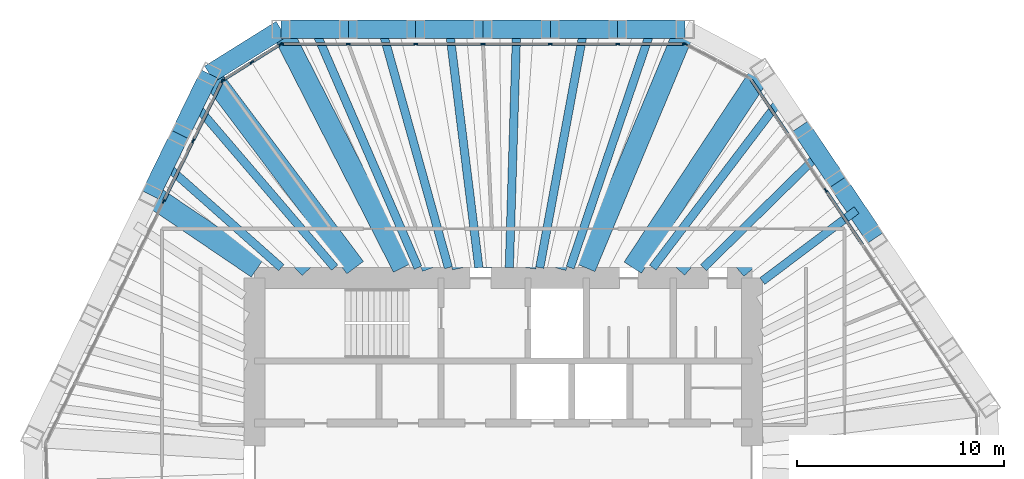
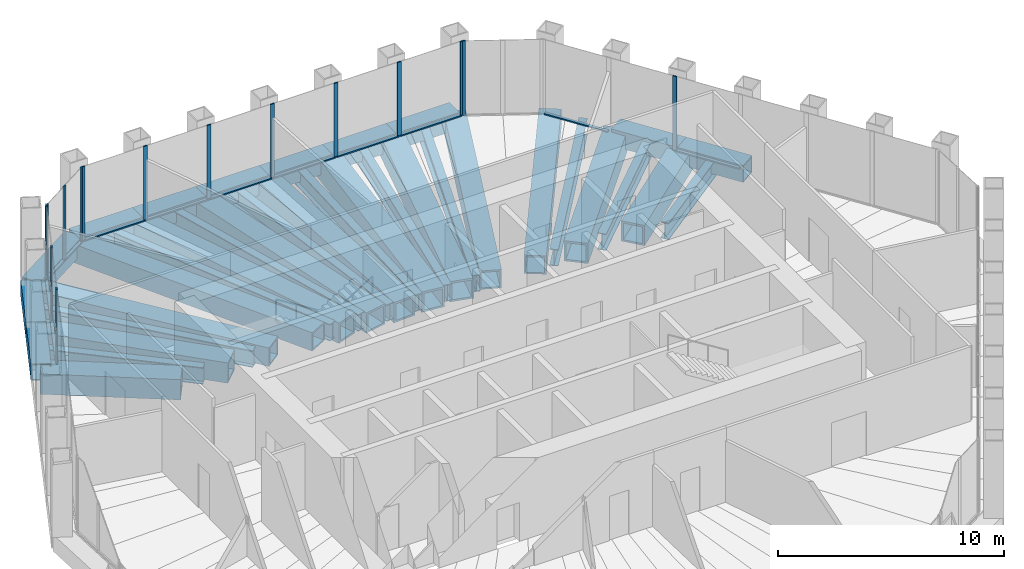
# One storey, part 7 of 14: 35 beams, 27 members, 5 elements without a shape of their own.
"""IFC4 building model written with IfcOpenShell, lengths in metres."""

from ifc_helpers import new_model, si_unit, direction, frame, origin, origin_2d, place, context, subcontext, project, spatial, rectangle, hollow_rectangle, i_section, extrude, material, material_profile, profile_set, type_object, element, aggregate, save


model = new_model("IFC4")

# Units and contexts
model_context = context("Model", 3, precision=1e-05, world=origin(), true_north=direction((0.0, 1.0)))
body_context = subcontext(model_context, "Body", "Model", "MODEL_VIEW")
ifc_project = project(units=[si_unit("LENGTHUNIT", "METRE"), si_unit("AREAUNIT", "SQUARE_METRE"), si_unit("VOLUMEUNIT", "CUBIC_METRE"), si_unit("PLANEANGLEUNIT", "RADIAN"), si_unit("MASSUNIT", "GRAM", prefix="KILO")], contexts=[model_context])

# Site, building, storey
site_placement = place(None, origin())
site = spatial("IfcSite", under=ifc_project, at=site_placement, CompositionType="ELEMENT")
building_placement = place(site_placement, origin())
building = spatial("IfcBuilding", under=site, at=building_placement, Name="Qingtian Harvest Tower", CompositionType="ELEMENT")
storey_placement = place(building_placement, frame((0.0, 0.0, 266.199951171875)))
storey = spatial("IfcBuildingStorey", under=building, at=storey_placement, Name="L58", CompositionType="ELEMENT", Elevation=266.199951171875)

# Beams
ifc_material_1 = material(Name="Steel SN490B", Category="steel")
ifc_material_profile_1 = material_profile(ifc_material_1, i_section(OverallWidth=0.39990234375, OverallDepth=0.89990234375, WebThickness=0.01904296875, FlangeThickness=0.035888671875, at=origin_2d()), Name="H900x400x19x36")
ifc_profile_set_1 = profile_set([ifc_material_profile_1], Name="Steel SN490B")
beam_type_1 = type_object("IfcBeamType", Name="Floor joist J4 H900x400x19x36", PredefinedType="JOIST", material=ifc_profile_set_1)
beam_1_placement = place(storey_placement, frame((-9.09814453125, 21.0, -0.619873046875), z_axis=(0.397529807491, -0.917589261138, 0.0), x_axis=(0.917589261138, 0.397529807491, 0.0)))
element("IfcBeam", 1, at=beam_1_placement, inside=storey, type_object=beam_type_1, Name="Floor joist J4 N0", PredefinedType="JOIST", context=body_context, shape_type="SweptSolid", body=[
    extrude(i_section(OverallWidth=0.39990234375, OverallDepth=0.89990234375, WebThickness=0.01904296875, FlangeThickness=0.035888671875, at=origin_2d()), origin(), (0.0, 0.0, 1.0), 12.532958984375),
])
beam_2_placement = place(storey_placement, frame((-5.85009765625, 21.0, -0.619873046875), z_axis=(0.268356818155, -0.963319582563, 0.0), x_axis=(0.963319582563, 0.268356818155, 0.0)))
element("IfcBeam", 2, at=beam_2_placement, inside=storey, type_object=beam_type_1, Name="Floor joist J4 N1", PredefinedType="JOIST", context=body_context, shape_type="SweptSolid", body=[
    extrude(i_section(OverallWidth=0.39990234375, OverallDepth=0.89990234375, WebThickness=0.01904296875, FlangeThickness=0.035888671875, at=origin_2d()), origin(), (0.0, 0.0, 1.0), 11.93798828125),
])
beam_3_placement = place(storey_placement, frame((-2.602294921875, 21.0, -0.619873046875), z_axis=(0.122976702395, -0.992409557929, 0.0), x_axis=(0.992409557929, 0.122976702395, 0.0)))
element("IfcBeam", 3, at=beam_3_placement, inside=storey, type_object=beam_type_1, Name="Floor joist J4 N2", PredefinedType="JOIST", context=body_context, shape_type="SweptSolid", body=[
    extrude(i_section(OverallWidth=0.39990234375, OverallDepth=0.89990234375, WebThickness=0.01904296875, FlangeThickness=0.035888671875, at=origin_2d()), origin(), (0.0, 0.0, 1.0), 11.587890625),
])
beam_4_placement = place(storey_placement, frame((0.645751953125, 21.0, -0.619873046875), z_axis=(-0.030725974878, -0.999527845769, 0.0), x_axis=(0.999527845769, -0.030725974878, 0.0)))
element("IfcBeam", 4, at=beam_4_placement, inside=storey, type_object=beam_type_1, Name="Floor joist J4 N3", PredefinedType="JOIST", context=body_context, shape_type="SweptSolid", body=[
    extrude(i_section(OverallWidth=0.39990234375, OverallDepth=0.89990234375, WebThickness=0.01904296875, FlangeThickness=0.035888671875, at=origin_2d()), origin(), (0.0, 0.0, 1.0), 11.50537109375),
])
beam_5_placement = place(storey_placement, frame((3.893798828125, 21.0, -0.619873046875), z_axis=(-0.182312001941, -0.983240730416, 0.0), x_axis=(0.983240730416, -0.182312001941, 0.0)))
element("IfcBeam", 5, at=beam_5_placement, inside=storey, type_object=beam_type_1, Name="Floor joist J4 N4", PredefinedType="JOIST", context=body_context, shape_type="SweptSolid", body=[
    extrude(i_section(OverallWidth=0.39990234375, OverallDepth=0.89990234375, WebThickness=0.01904296875, FlangeThickness=0.035888671875, at=origin_2d()), origin(), (0.0, 0.0, 1.0), 11.696044921875),
])
beam_6_placement = place(storey_placement, frame((7.141845703125, 21.0, -0.619873046875), z_axis=(-0.321968312345, -0.94675044539, 0.0), x_axis=(0.94675044539, -0.321968312345, 0.0)))
element("IfcBeam", 6, at=beam_6_placement, inside=storey, type_object=beam_type_1, Name="Floor joist J4 N5", PredefinedType="JOIST", context=body_context, shape_type="SweptSolid", body=[
    extrude(i_section(OverallWidth=0.39990234375, OverallDepth=0.89990234375, WebThickness=0.01904296875, FlangeThickness=0.035888671875, at=origin_2d()), origin(), (0.0, 0.0, 1.0), 12.146728515625),
])
beam_7_placement = place(storey_placement, frame((13.416015625, 17.6640625, -0.619873046875), z_axis=(-0.604835675798, -0.796350303122, 0.0), x_axis=(0.796350303122, -0.604835675798, 0.0)))
element("IfcBeam", 7, at=beam_7_placement, inside=storey, type_object=beam_type_1, Name="Floor joist J4 NE0", PredefinedType="JOIST", context=body_context, shape_type="SweptSolid", body=[
    extrude(i_section(OverallWidth=0.39990234375, OverallDepth=0.89990234375, WebThickness=0.01904296875, FlangeThickness=0.035888671875, at=origin_2d()), origin(), (0.0, 0.0, 1.0), 10.251953125),
])
beam_8_placement = place(storey_placement, frame((15.232421875, 14.97119140625, -0.619873046875), z_axis=(-0.713195408707, -0.700965269467, 0.0), x_axis=(0.700965269467, -0.713195408707, 0.0)))
element("IfcBeam", 8, at=beam_8_placement, inside=storey, type_object=beam_type_1, Name="Floor joist J4 NE1", PredefinedType="JOIST", context=body_context, shape_type="SweptSolid", body=[
    extrude(i_section(OverallWidth=0.39990234375, OverallDepth=0.89990234375, WebThickness=0.01904296875, FlangeThickness=0.035888671875, at=origin_2d()), origin(), (0.0, 0.0, 1.0), 7.80517578125),
])
beam_9_placement = place(storey_placement, frame((17.048583984375, 12.278564453125, -0.619873046875), z_axis=(-0.79856269076, -0.601911645448, 0.0), x_axis=(0.601911645448, -0.79856269076, 0.0)))
element("IfcBeam", 9, at=beam_9_placement, inside=storey, type_object=beam_type_1, Name="Floor joist J4 NE2", PredefinedType="JOIST", context=body_context, shape_type="SweptSolid", body=[
    extrude(i_section(OverallWidth=0.39990234375, OverallDepth=0.89990234375, WebThickness=0.01904296875, FlangeThickness=0.035888671875, at=origin_2d()), origin(), (0.0, 0.0, 1.0), 5.696044921875),
])
beam_10_placement = place(storey_placement, frame((-16.31005859375, 14.4638671875, -0.619873046875), z_axis=(0.748179407524, -0.663496476372, 0.0), x_axis=(0.663496476372, 0.748179407524, 0.0)))
element("IfcBeam", 10, at=beam_10_placement, inside=storey, type_object=beam_type_1, Name="Floor joist J4 NW4", PredefinedType="JOIST", context=body_context, shape_type="SweptSolid", body=[
    extrude(i_section(OverallWidth=0.39990234375, OverallDepth=0.89990234375, WebThickness=0.01904296875, FlangeThickness=0.035888671875, at=origin_2d()), origin(), (0.0, 0.0, 1.0), 7.4814453125),
])
beam_11_placement = place(storey_placement, frame((-14.88623046875, 17.38330078125, -0.619873046875), z_axis=(0.650436795804, -0.7595603825, 0.0), x_axis=(0.7595603825, 0.650436795804, 0.0)))
element("IfcBeam", 11, at=beam_11_placement, inside=storey, type_object=beam_type_1, Name="Floor joist J4 NW5", PredefinedType="JOIST", context=body_context, shape_type="SweptSolid", body=[
    extrude(i_section(OverallWidth=0.39990234375, OverallDepth=0.89990234375, WebThickness=0.01904296875, FlangeThickness=0.035888671875, at=origin_2d()), origin(), (0.0, 0.0, 1.0), 10.378662109375),
])

# Curtain wall, members
ifc_material_2 = material(Name="Bronze-anodised aluminium curtain wall", Category="aluminium")
curtain_wall_type = type_object("IfcCurtainWallType", Name="Curtain wall CW5 upper office", PredefinedType="USERDEFINED", material=ifc_material_2)
curtain_wall_1_placement = place(storey_placement, origin())
curtain_wall_1 = element("IfcCurtainWall", 12, at=curtain_wall_1_placement, inside=storey, type_object=curtain_wall_type, Name="Curtain wall CW5 L58 N0-5", ObjectType="RECESSED CURTAIN WALL", PredefinedType="USERDEFINED")
ifc_material_3 = material(Name="Bronze-anodised aluminium mullion", Category="aluminium")
ifc_material_profile_2 = material_profile(ifc_material_3, rectangle(XDim=0.06494140625, YDim=0.199951171875, at=origin_2d()), Name="AL 65x200")
ifc_profile_set_2 = profile_set([ifc_material_profile_2], Name="Bronze-anodised aluminium mullion")
member_type_1 = type_object("IfcMemberType", Name="Mullion CWM 65x200", PredefinedType="MULLION", material=ifc_profile_set_2)
member_1_placement = place(storey_placement, frame((-10.689697265625, 20.300048828125, 0.0), z_axis=(0.0, 0.0, 1.0), x_axis=(0.0, 1.0, 0.0)))
member_1 = element("IfcMember", 13, at=member_1_placement, type_object=member_type_1, Name="CW5 mullion 1", PredefinedType="MULLION", context=body_context, shape_type="SweptSolid", body=[
    extrude(rectangle(XDim=0.06494140625, YDim=0.199951171875, at=origin_2d()), origin(), (0.0, 0.0, 1.0), 4.030029296875),
])
member_2_placement = place(storey_placement, frame((-7.47412109375, 20.300048828125, 0.0), z_axis=(0.0, 0.0, 1.0), x_axis=(0.0, 1.0, 0.0)))
member_2 = element("IfcMember", 14, at=member_2_placement, type_object=member_type_1, Name="CW5 mullion 2", PredefinedType="MULLION", context=body_context, shape_type="SweptSolid", body=[
    extrude(rectangle(XDim=0.06494140625, YDim=0.199951171875, at=origin_2d()), origin(), (0.0, 0.0, 1.0), 4.030029296875),
])
member_3_placement = place(storey_placement, frame((-4.226318359375, 20.300048828125, 0.0), z_axis=(0.0, 0.0, 1.0), x_axis=(0.0, 1.0, 0.0)))
member_3 = element("IfcMember", 15, at=member_3_placement, type_object=member_type_1, Name="CW5 mullion 3", PredefinedType="MULLION", context=body_context, shape_type="SweptSolid", body=[
    extrude(rectangle(XDim=0.06494140625, YDim=0.199951171875, at=origin_2d()), origin(), (0.0, 0.0, 1.0), 4.030029296875),
])
member_4_placement = place(storey_placement, frame((-0.978271484375, 20.300048828125, 0.0), z_axis=(0.0, 0.0, 1.0), x_axis=(0.0, 1.0, 0.0)))
member_4 = element("IfcMember", 16, at=member_4_placement, type_object=member_type_1, Name="CW5 mullion 4", PredefinedType="MULLION", context=body_context, shape_type="SweptSolid", body=[
    extrude(rectangle(XDim=0.06494140625, YDim=0.199951171875, at=origin_2d()), origin(), (0.0, 0.0, 1.0), 4.030029296875),
])
member_5_placement = place(storey_placement, frame((2.269775390625, 20.300048828125, 0.0), z_axis=(0.0, 0.0, 1.0), x_axis=(0.0, 1.0, 0.0)))
member_5 = element("IfcMember", 17, at=member_5_placement, type_object=member_type_1, Name="CW5 mullion 5", PredefinedType="MULLION", context=body_context, shape_type="SweptSolid", body=[
    extrude(rectangle(XDim=0.06494140625, YDim=0.199951171875, at=origin_2d()), origin(), (0.0, 0.0, 1.0), 4.030029296875),
])
member_6_placement = place(storey_placement, frame((5.517822265625, 20.300048828125, 0.0), z_axis=(0.0, 0.0, 1.0), x_axis=(0.0, 1.0, 0.0)))
member_6 = element("IfcMember", 18, at=member_6_placement, type_object=member_type_1, Name="CW5 mullion 6", PredefinedType="MULLION", context=body_context, shape_type="SweptSolid", body=[
    extrude(rectangle(XDim=0.06494140625, YDim=0.199951171875, at=origin_2d()), origin(), (0.0, 0.0, 1.0), 4.030029296875),
])
member_7_placement = place(storey_placement, frame((8.7333984375, 20.300048828125, 0.0), z_axis=(0.0, 0.0, 1.0), x_axis=(0.0, 1.0, 0.0)))
member_7 = element("IfcMember", 19, at=member_7_placement, type_object=member_type_1, Name="CW5 mullion 7", PredefinedType="MULLION", context=body_context, shape_type="SweptSolid", body=[
    extrude(rectangle(XDim=0.06494140625, YDim=0.199951171875, at=origin_2d()), origin(), (0.0, 0.0, 1.0), 4.030029296875),
])

# Curtain wall, member
curtain_wall_2_placement = place(storey_placement, origin())
curtain_wall_2 = element("IfcCurtainWall", 20, at=curtain_wall_2_placement, inside=storey, type_object=curtain_wall_type, Name="Curtain wall CW5 L58 NC", ObjectType="RECESSED CURTAIN WALL", PredefinedType="USERDEFINED")
member_8_placement = place(storey_placement, frame((8.794677734375, 20.28466796875, 0.0), z_axis=(0.0, 0.0, 1.0), x_axis=(0.469471562786, 0.882947592859, 0.0)))
member_8 = element("IfcMember", 21, at=member_8_placement, type_object=member_type_1, Name="CW5 mullion 1", PredefinedType="MULLION", context=body_context, shape_type="SweptSolid", body=[
    extrude(rectangle(XDim=0.06494140625, YDim=0.199951171875, at=origin_2d()), origin(), (0.0, 0.0, 1.0), 4.030029296875),
])
aggregate(curtain_wall_2, [member_8])

curtain_wall_3_placement = place(storey_placement, origin())
curtain_wall_3 = element("IfcCurtainWall", 22, at=curtain_wall_3_placement, inside=storey, type_object=curtain_wall_type, Name="Curtain wall CW5 L58 NE0-5", ObjectType="RECESSED CURTAIN WALL", PredefinedType="USERDEFINED")
member_9_placement = place(storey_placement, frame((15.56005859375, 13.2333984375, 0.0), z_axis=(0.0, 0.0, 1.0), x_axis=(0.829037572555, 0.559192903471, 0.0)))
member_9 = element("IfcMember", 23, at=member_9_placement, type_object=member_type_1, Name="CW5 mullion 3", PredefinedType="MULLION", context=body_context, shape_type="SweptSolid", body=[
    extrude(rectangle(XDim=0.06494140625, YDim=0.199951171875, at=origin_2d()), origin(), (0.0, 0.0, 1.0), 4.030029296875),
])

# Curtain wall, members
curtain_wall_4_placement = place(storey_placement, origin())
curtain_wall_4 = element("IfcCurtainWall", 24, at=curtain_wall_4_placement, inside=storey, type_object=curtain_wall_type, Name="Curtain wall CW5 L58 NW0-5", ObjectType="RECESSED CURTAIN WALL", PredefinedType="USERDEFINED")
member_10_placement = place(storey_placement, frame((-16.392822265625, 12.697509765625, 0.0), z_axis=(0.0, 0.0, 1.0), x_axis=(-0.898794046299, 0.438371146789, 0.0)))
member_10 = element("IfcMember", 25, at=member_10_placement, type_object=member_type_1, Name="CW5 mullion 5", PredefinedType="MULLION", context=body_context, shape_type="SweptSolid", body=[
    extrude(rectangle(XDim=0.06494140625, YDim=0.199951171875, at=origin_2d()), origin(), (0.0, 0.0, 1.0), 4.030029296875),
])
member_11_placement = place(storey_placement, frame((-14.968994140625, 15.61669921875, 0.0), z_axis=(0.0, 0.0, 1.0), x_axis=(-0.898794046299, 0.438371146789, 0.0)))
member_11 = element("IfcMember", 26, at=member_11_placement, type_object=member_type_1, Name="CW5 mullion 6", PredefinedType="MULLION", context=body_context, shape_type="SweptSolid", body=[
    extrude(rectangle(XDim=0.06494140625, YDim=0.199951171875, at=origin_2d()), origin(), (0.0, 0.0, 1.0), 4.030029296875),
])
member_12_placement = place(storey_placement, frame((-13.559326171875, 18.5068359375, 0.0), z_axis=(0.0, 0.0, 1.0), x_axis=(-0.898794046299, 0.438371146789, 0.0)))
member_12 = element("IfcMember", 27, at=member_12_placement, type_object=member_type_1, Name="CW5 mullion 7", PredefinedType="MULLION", context=body_context, shape_type="SweptSolid", body=[
    extrude(rectangle(XDim=0.06494140625, YDim=0.199951171875, at=origin_2d()), origin(), (0.0, 0.0, 1.0), 4.030029296875),
])

curtain_wall_5_placement = place(storey_placement, origin())
curtain_wall_5 = element("IfcCurtainWall", 28, at=curtain_wall_5_placement, inside=storey, type_object=curtain_wall_type, Name="Curtain wall CW5 L58 NWC", ObjectType="RECESSED CURTAIN WALL", PredefinedType="USERDEFINED")
member_13_placement = place(storey_placement, frame((-13.517578125, 18.55322265625, 0.0), z_axis=(0.0, 0.0, 1.0), x_axis=(-0.529919264233, 0.848048096156, 0.0)))
member_13 = element("IfcMember", 29, at=member_13_placement, type_object=member_type_1, Name="CW5 mullion 1", PredefinedType="MULLION", context=body_context, shape_type="SweptSolid", body=[
    extrude(rectangle(XDim=0.06494140625, YDim=0.199951171875, at=origin_2d()), origin(), (0.0, 0.0, 1.0), 4.030029296875),
])
member_14_placement = place(storey_placement, frame((-12.1337890625, 19.41796875, 0.0), z_axis=(0.0, 0.0, 1.0), x_axis=(-0.529919264233, 0.848048096156, 0.0)))
member_14 = element("IfcMember", 30, at=member_14_placement, type_object=member_type_1, Name="CW5 mullion 2", PredefinedType="MULLION", context=body_context, shape_type="SweptSolid", body=[
    extrude(rectangle(XDim=0.06494140625, YDim=0.199951171875, at=origin_2d()), origin(), (0.0, 0.0, 1.0), 4.030029296875),
])
member_15_placement = place(storey_placement, frame((-10.749755859375, 20.28271484375, 0.0), z_axis=(0.0, 0.0, 1.0), x_axis=(-0.529919264233, 0.848048096156, 0.0)))
member_15 = element("IfcMember", 31, at=member_15_placement, type_object=member_type_1, Name="CW5 mullion 3", PredefinedType="MULLION", context=body_context, shape_type="SweptSolid", body=[
    extrude(rectangle(XDim=0.06494140625, YDim=0.199951171875, at=origin_2d()), origin(), (0.0, 0.0, 1.0), 4.030029296875),
])

# Beams
ifc_material_4 = material(Name="Steel SM570MC", Category="steel")
ifc_material_profile_3 = material_profile(ifc_material_4, hollow_rectangle(XDim=1.0, YDim=1.0, WallThickness=0.080078125, at=origin_2d()), Name="BOX1000x1000x80")
ifc_profile_set_3 = profile_set([ifc_material_profile_3], Name="Steel SM570MC")
beam_type_2 = type_object("IfcBeamType", Name="Transfer corner beam FB11 BOX1000x1000x80", PredefinedType="BEAM", material=ifc_profile_set_3)
beam_12_placement = place(storey_placement, frame((-10.72216796875, 21.0, -0.669921875), z_axis=(0.454730568944, -0.890629052787, 0.0), x_axis=(0.890629052787, 0.454730568944, 0.0)))
element("IfcBeam", 32, at=beam_12_placement, inside=storey, type_object=beam_type_2, Name="Floor beam FB11 N0", PredefinedType="BEAM", context=body_context, shape_type="SweptSolid", body=[
    extrude(hollow_rectangle(XDim=1.0, YDim=1.0, WallThickness=0.080078125, at=origin_2d()), origin(), (0.0, 0.0, 1.0), 12.912109375),
])
beam_13_placement = place(storey_placement, frame((8.765869140625, 21.0, -0.669921875), z_axis=(-0.385205133264, -0.922830973313, 0.0), x_axis=(0.922830973313, -0.385205133264, 0.0)))
element("IfcBeam", 33, at=beam_13_placement, inside=storey, type_object=beam_type_2, Name="Floor beam FB11 N6", PredefinedType="BEAM", context=body_context, shape_type="SweptSolid", body=[
    extrude(hollow_rectangle(XDim=1.0, YDim=1.0, WallThickness=0.080078125, at=origin_2d()), origin(), (0.0, 0.0, 1.0), 12.461669921875),
])
beam_14_placement = place(storey_placement, frame((12.508056640625, 19.01025390625, -0.669921875), z_axis=(-0.549666916329, -0.835383912398, 0.0), x_axis=(0.835383912398, -0.549666916329, 0.0)))
element("IfcBeam", 34, at=beam_14_placement, inside=storey, type_object=beam_type_2, Name="Floor beam FB11 NE0", PredefinedType="BEAM", context=body_context, shape_type="SweptSolid", body=[
    extrude(hollow_rectangle(XDim=1.0, YDim=1.0, WallThickness=0.080078125, at=origin_2d()), origin(), (0.0, 0.0, 1.0), 11.38427734375),
])
beam_15_placement = place(storey_placement, frame((-14.17431640625, 18.8427734375, -0.669921875), z_axis=(0.601148761641, -0.799137138655, 0.0), x_axis=(0.799137138655, 0.601148761641, 0.0)))
element("IfcBeam", 35, at=beam_15_placement, inside=storey, type_object=beam_type_2, Name="Floor beam FB11 NW6", PredefinedType="BEAM", context=body_context, shape_type="SweptSolid", body=[
    extrude(hollow_rectangle(XDim=1.0, YDim=1.0, WallThickness=0.080078125, at=origin_2d()), origin(), (0.0, 0.0, 1.0), 11.691162109375),
])
ifc_material_5 = material(Name="Steel SM570MC", Category="steel")
ifc_material_profile_4 = material_profile(ifc_material_5, hollow_rectangle(XDim=1.10009765625, YDim=1.10009765625, WallThickness=0.10009765625, at=origin_2d()), Name="BOX1100x1100x100")
ifc_profile_set_4 = profile_set([ifc_material_profile_4], Name="Steel SM570MC")
beam_type_3 = type_object("IfcBeamType", Name="Transfer floor beam FB9 BOX1100x1100x100", PredefinedType="BEAM", material=ifc_profile_set_4)
beam_16_placement = place(storey_placement, frame((-7.47412109375, 21.0, -0.719970703125), z_axis=(0.335309922571, -0.94210787908, 0.0), x_axis=(0.94210787908, 0.335309922571, 0.0)))
element("IfcBeam", 36, at=beam_16_placement, inside=storey, type_object=beam_type_3, Name="Floor beam FB9 N1", PredefinedType="BEAM", context=body_context, shape_type="SweptSolid", body=[
    extrude(hollow_rectangle(XDim=1.10009765625, YDim=1.10009765625, WallThickness=0.10009765625, at=origin_2d()), origin(), (0.0, 0.0, 1.0), 12.206787109375),
])
beam_17_placement = place(storey_placement, frame((-4.226318359375, 21.0, -0.719970703125), z_axis=(0.197300692693, -0.980343019898, 0.0), x_axis=(0.980343019898, 0.197300692693, 0.0)))
element("IfcBeam", 37, at=beam_17_placement, inside=storey, type_object=beam_type_3, Name="Floor beam FB9 N2", PredefinedType="BEAM", context=body_context, shape_type="SweptSolid", body=[
    extrude(hollow_rectangle(XDim=1.10009765625, YDim=1.10009765625, WallThickness=0.10009765625, at=origin_2d()), origin(), (0.0, 0.0, 1.0), 11.73046875),
])
beam_18_placement = place(storey_placement, frame((-0.978271484375, 21.0, -0.719970703125), z_axis=(0.046527342366, -0.99891701678, 0.0), x_axis=(0.99891701678, 0.046527342366, 0.0)))
element("IfcBeam", 38, at=beam_18_placement, inside=storey, type_object=beam_type_3, Name="Floor beam FB9 N3", PredefinedType="BEAM", context=body_context, shape_type="SweptSolid", body=[
    extrude(hollow_rectangle(XDim=1.10009765625, YDim=1.10009765625, WallThickness=0.10009765625, at=origin_2d()), origin(), (0.0, 0.0, 1.0), 11.512451171875),
])
beam_19_placement = place(storey_placement, frame((2.269775390625, 21.0, -0.719970703125), z_axis=(-0.107454213734, -0.994210034123, 0.0), x_axis=(0.994210034123, -0.107454213734, 0.0)))
element("IfcBeam", 39, at=beam_19_placement, inside=storey, type_object=beam_type_3, Name="Floor beam FB9 N4", PredefinedType="BEAM", context=body_context, shape_type="SweptSolid", body=[
    extrude(hollow_rectangle(XDim=1.10009765625, YDim=1.10009765625, WallThickness=0.10009765625, at=origin_2d()), origin(), (0.0, 0.0, 1.0), 11.56689453125),
])
beam_20_placement = place(storey_placement, frame((5.517822265625, 21.0, -0.719970703125), z_axis=(-0.254132470973, -0.967169420111, 0.0), x_axis=(0.967169420111, -0.254132470973, 0.0)))
element("IfcBeam", 40, at=beam_20_placement, inside=storey, type_object=beam_type_3, Name="Floor beam FB9 N5", PredefinedType="BEAM", context=body_context, shape_type="SweptSolid", body=[
    extrude(hollow_rectangle(XDim=1.10009765625, YDim=1.10009765625, WallThickness=0.10009765625, at=origin_2d()), origin(), (0.0, 0.0, 1.0), 11.890380859375),
])
beam_21_placement = place(storey_placement, frame((14.32421875, 16.317626953125, -0.719970703125), z_axis=(-0.659702205655, -0.751527111856, 0.0), x_axis=(0.751527111856, -0.659702205655, 0.0)))
element("IfcBeam", 41, at=beam_21_placement, inside=storey, type_object=beam_type_3, Name="Floor beam FB9 NE1", PredefinedType="BEAM", context=body_context, shape_type="SweptSolid", body=[
    extrude(hollow_rectangle(XDim=1.10009765625, YDim=1.10009765625, WallThickness=0.10009765625, at=origin_2d()), origin(), (0.0, 0.0, 1.0), 9.07177734375),
])
beam_22_placement = place(storey_placement, frame((16.140625, 13.624755859375, -0.719970703125), z_axis=(-0.764153276603, -0.645034704382, 0.0), x_axis=(0.645034704382, -0.764153276603, 0.0)))
element("IfcBeam", 42, at=beam_22_placement, inside=storey, type_object=beam_type_3, Name="Floor beam FB9 NE2", PredefinedType="BEAM", context=body_context, shape_type="SweptSolid", body=[
    extrude(hollow_rectangle(XDim=1.10009765625, YDim=1.10009765625, WallThickness=0.10009765625, at=origin_2d()), origin(), (0.0, 0.0, 1.0), 6.39453125),
])
beam_23_placement = place(storey_placement, frame((-17.02197265625, 13.00439453125, -0.719970703125), z_axis=(0.827854296295, -0.560943191514, 0.0), x_axis=(0.560943191514, 0.827854296295, 0.0)))
element("IfcBeam", 43, at=beam_23_placement, inside=storey, type_object=beam_type_3, Name="Floor beam FB9 NW4", PredefinedType="BEAM", context=body_context, shape_type="SweptSolid", body=[
    extrude(hollow_rectangle(XDim=1.10009765625, YDim=1.10009765625, WallThickness=0.10009765625, at=origin_2d()), origin(), (0.0, 0.0, 1.0), 6.247314453125),
])
beam_24_placement = place(storey_placement, frame((-15.59814453125, 15.923583984375, -0.719970703125), z_axis=(0.699765413715, -0.714372707883, 0.0), x_axis=(0.714372707883, 0.699765413715, 0.0)))
element("IfcBeam", 44, at=beam_24_placement, inside=storey, type_object=beam_type_3, Name="Floor beam FB9 NW5", PredefinedType="BEAM", context=body_context, shape_type="SweptSolid", body=[
    extrude(hollow_rectangle(XDim=1.10009765625, YDim=1.10009765625, WallThickness=0.10009765625, at=origin_2d()), origin(), (0.0, 0.0, 1.0), 8.991943359375),
])
ifc_material_6 = material(Name="Steel SM570MC", Category="steel")
ifc_material_profile_5 = material_profile(ifc_material_6, hollow_rectangle(XDim=0.89990234375, YDim=0.89990234375, WallThickness=0.050048828125, at=origin_2d()), Name="BOX900x900x50")
ifc_profile_set_5 = profile_set([ifc_material_profile_5], Name="Steel SM570MC")
beam_type_4 = type_object("IfcBeamType", Name="Transition spandrel SB6 BOX900x900x50", PredefinedType="SPANDREL", material=ifc_profile_set_5)
beam_25_placement = place(storey_placement, frame((-10.72216796875, 21.0, -0.449951171875), z_axis=(1.0, 0.0, 0.0), x_axis=(0.0, 1.0, 0.0)))
element("IfcBeam", 45, at=beam_25_placement, inside=storey, type_object=beam_type_4, Name="Spandrel SB6 N0", PredefinedType="SPANDREL", context=body_context, shape_type="SweptSolid", body=[
    extrude(hollow_rectangle(XDim=0.89990234375, YDim=0.89990234375, WallThickness=0.050048828125, at=origin_2d()), origin(), (0.0, 0.0, 1.0), 3.248046875),
])
beam_26_placement = place(storey_placement, frame((-7.47412109375, 21.0, -0.449951171875), z_axis=(1.0, 0.0, 0.0), x_axis=(0.0, 1.0, 0.0)))
element("IfcBeam", 46, at=beam_26_placement, inside=storey, type_object=beam_type_4, Name="Spandrel SB6 N1", PredefinedType="SPANDREL", context=body_context, shape_type="SweptSolid", body=[
    extrude(hollow_rectangle(XDim=0.89990234375, YDim=0.89990234375, WallThickness=0.050048828125, at=origin_2d()), origin(), (0.0, 0.0, 1.0), 3.247802734375),
])
for number, where, z_axis, x_axis, name in (
    (47, (-4.226318359375, 21.0, -0.449951171875), (1.0, 0.0, 0.0), (0.0, 1.0, 0.0), "Spandrel SB6 N2"),
    (48, (-0.978271484375, 21.0, -0.449951171875), (1.0, 0.0, 0.0), (0.0, 1.0, 0.0), "Spandrel SB6 N3"),
    (49, (2.269775390625, 21.0, -0.449951171875), (1.0, 0.0, 0.0), (0.0, 1.0, 0.0), "Spandrel SB6 N4"),
    (50, (5.517822265625, 21.0, -0.449951171875), (1.0, 0.0, 0.0), (0.0, 1.0, 0.0), "Spandrel SB6 N5"),
):
    element("IfcBeam", number, at=place(storey_placement, frame(where, z_axis=z_axis, x_axis=x_axis)), inside=storey, type_object=beam_type_4, Name=name, PredefinedType="SPANDREL", context=body_context, shape_type="SweptSolid", body=[
        extrude(hollow_rectangle(XDim=0.89990234375, YDim=0.89990234375, WallThickness=0.050048828125, at=origin_2d()), origin(), (0.0, 0.0, 1.0), 3.248046875),
    ])
beam_27_placement = place(storey_placement, frame((14.32421875, 16.317626953125, -0.449951171875), z_axis=(0.559201740147, -0.829031612073, 0.0), x_axis=(0.829031612073, 0.559201740147, 0.0)))
element("IfcBeam", 51, at=beam_27_placement, inside=storey, type_object=beam_type_4, Name="Spandrel SB6 NE1", PredefinedType="SPANDREL", context=body_context, shape_type="SweptSolid", body=[
    extrude(hollow_rectangle(XDim=0.89990234375, YDim=0.89990234375, WallThickness=0.050048828125, at=origin_2d()), origin(), (0.0, 0.0, 1.0), 3.248291015625),
])
for number, where, z_axis, x_axis, name in (
    (52, (16.140625, 13.624755859375, -0.449951171875), (0.559184924833, -0.829042954158, 0.0), (0.829042954158, 0.559184924833, 0.0), "Spandrel SB6 NE2"),
    (53, (-17.02197265625, 13.00439453125, -0.449951171875), (0.438382164311, 0.898788672611, 0.0), (-0.898788672611, 0.438382164311, 0.0), "Spandrel SB6 NW4"),
    (54, (-15.59814453125, 15.923583984375, -0.449951171875), (0.438382164311, 0.898788672611, 0.0), (-0.898788672611, 0.438382164311, 0.0), "Spandrel SB6 NW5"),
):
    element("IfcBeam", number, at=place(storey_placement, frame(where, z_axis=z_axis, x_axis=x_axis)), inside=storey, type_object=beam_type_4, Name=name, PredefinedType="SPANDREL", context=body_context, shape_type="SweptSolid", body=[
        extrude(hollow_rectangle(XDim=0.89990234375, YDim=0.89990234375, WallThickness=0.050048828125, at=origin_2d()), origin(), (0.0, 0.0, 1.0), 3.247802734375),
    ])
beam_28_placement = place(storey_placement, frame((-14.17431640625, 18.8427734375, -0.449951171875), z_axis=(0.848038733752, 0.529934246919, 0.0), x_axis=(-0.529934246919, 0.848038733752, 0.0)))
element("IfcBeam", 55, at=beam_28_placement, inside=storey, type_object=beam_type_4, Name="Spandrel SB6 NWC", PredefinedType="SPANDREL", context=body_context, shape_type="SweptSolid", body=[
    extrude(hollow_rectangle(XDim=0.89990234375, YDim=0.89990234375, WallThickness=0.050048828125, at=origin_2d()), origin(), (0.0, 0.0, 1.0), 4.07080078125),
])

# Member
ifc_material_7 = material(Name="Bronze-anodised aluminium transom", Category="aluminium")
ifc_material_profile_6 = material_profile(ifc_material_7, rectangle(XDim=0.14990234375, YDim=0.06494140625, at=origin_2d()), Name="AL 65x150")
ifc_profile_set_6 = profile_set([ifc_material_profile_6], Name="Bronze-anodised aluminium transom")
member_type_2 = type_object("IfcMemberType", Name="Transom CWT 65x150", PredefinedType="USERDEFINED", material=ifc_profile_set_6)
member_16_placement = place(storey_placement, frame((-10.6572265625, 20.300048828125, 0.032470703125), z_axis=(1.0, 0.0, 0.0), x_axis=(0.0, 1.0, 0.0)))
member_16 = element("IfcMember", 56, at=member_16_placement, type_object=member_type_2, Name="CW5 transom 1.1", ObjectType="TRANSOM", PredefinedType="USERDEFINED", context=body_context, shape_type="SweptSolid", body=[
    extrude(rectangle(XDim=0.14990234375, YDim=0.06494140625, at=origin_2d()), origin(), (0.0, 0.0, 1.0), 3.150390625),
])

member_17_placement = place(storey_placement, frame((-7.441650390625, 20.300048828125, 0.032470703125), z_axis=(1.0, 0.0, 0.0), x_axis=(0.0, 1.0, 0.0)))
member_17 = element("IfcMember", 57, at=member_17_placement, type_object=member_type_2, Name="CW5 transom 2.1", ObjectType="TRANSOM", PredefinedType="USERDEFINED", context=body_context, shape_type="SweptSolid", body=[
    extrude(rectangle(XDim=0.14990234375, YDim=0.06494140625, at=origin_2d()), origin(), (0.0, 0.0, 1.0), 3.182861328125),
])

member_18_placement = place(storey_placement, frame((-4.193603515625, 20.300048828125, 0.032470703125), z_axis=(1.0, 0.0, 0.0), x_axis=(0.0, 1.0, 0.0)))
member_18 = element("IfcMember", 58, at=member_18_placement, type_object=member_type_2, Name="CW5 transom 3.1", ObjectType="TRANSOM", PredefinedType="USERDEFINED", context=body_context, shape_type="SweptSolid", body=[
    extrude(rectangle(XDim=0.14990234375, YDim=0.06494140625, at=origin_2d()), origin(), (0.0, 0.0, 1.0), 3.182861328125),
])

member_19_placement = place(storey_placement, frame((-0.94580078125, 20.300048828125, 0.032470703125), z_axis=(1.0, 0.0, 0.0), x_axis=(0.0, 1.0, 0.0)))
member_19 = element("IfcMember", 59, at=member_19_placement, type_object=member_type_2, Name="CW5 transom 4.1", ObjectType="TRANSOM", PredefinedType="USERDEFINED", context=body_context, shape_type="SweptSolid", body=[
    extrude(rectangle(XDim=0.14990234375, YDim=0.06494140625, at=origin_2d()), origin(), (0.0, 0.0, 1.0), 3.18310546875),
])

member_20_placement = place(storey_placement, frame((2.30224609375, 20.300048828125, 0.032470703125), z_axis=(1.0, 0.0, 0.0), x_axis=(0.0, 1.0, 0.0)))
member_20 = element("IfcMember", 60, at=member_20_placement, type_object=member_type_2, Name="CW5 transom 5.1", ObjectType="TRANSOM", PredefinedType="USERDEFINED", context=body_context, shape_type="SweptSolid", body=[
    extrude(rectangle(XDim=0.14990234375, YDim=0.06494140625, at=origin_2d()), origin(), (0.0, 0.0, 1.0), 3.18310546875),
])

member_21_placement = place(storey_placement, frame((5.55029296875, 20.300048828125, 0.032470703125), z_axis=(1.0, 0.0, 0.0), x_axis=(0.0, 1.0, 0.0)))
member_21 = element("IfcMember", 61, at=member_21_placement, type_object=member_type_2, Name="CW5 transom 6.1", ObjectType="TRANSOM", PredefinedType="USERDEFINED", context=body_context, shape_type="SweptSolid", body=[
    extrude(rectangle(XDim=0.14990234375, YDim=0.06494140625, at=origin_2d()), origin(), (0.0, 0.0, 1.0), 3.150634765625),
])

aggregate(curtain_wall_1, [member_1, member_2, member_3, member_4, member_5, member_6, member_7, member_16, member_17, member_18, member_19, member_20, member_21])

member_22_placement = place(storey_placement, frame((11.9638671875, 18.56494140625, 0.032470703125), z_axis=(0.559251907839, -0.828997770551, 0.0), x_axis=(0.828997770551, 0.559251907839, 0.0)))
member_22 = element("IfcMember", 62, at=member_22_placement, type_object=member_type_2, Name="CW5 transom 1.1", ObjectType="TRANSOM", PredefinedType="USERDEFINED", context=body_context, shape_type="SweptSolid", body=[
    extrude(rectangle(XDim=0.14990234375, YDim=0.06494140625, at=origin_2d()), origin(), (0.0, 0.0, 1.0), 3.150634765625),
])

member_23_placement = place(storey_placement, frame((15.578369140625, 13.20654296875, 0.032470703125), z_axis=(0.55920542009, -0.829029129852, 0.0), x_axis=(0.829029129852, 0.55920542009, 0.0)))
member_23 = element("IfcMember", 63, at=member_23_placement, type_object=member_type_2, Name="CW5 transom 3.1", ObjectType="TRANSOM", PredefinedType="USERDEFINED", context=body_context, shape_type="SweptSolid", body=[
    extrude(rectangle(XDim=0.14990234375, YDim=0.06494140625, at=origin_2d()), origin(), (0.0, 0.0, 1.0), 3.18310546875),
])

aggregate(curtain_wall_3, [member_9, member_22, member_23])

member_24_placement = place(storey_placement, frame((-16.378662109375, 12.7265625, 0.032470703125), z_axis=(0.438355626738, 0.898801615768, 0.0), x_axis=(-0.898801615768, 0.438355626738, 0.0)))
member_24 = element("IfcMember", 64, at=member_24_placement, type_object=member_type_2, Name="CW5 transom 5.1", ObjectType="TRANSOM", PredefinedType="USERDEFINED", context=body_context, shape_type="SweptSolid", body=[
    extrude(rectangle(XDim=0.14990234375, YDim=0.06494140625, at=origin_2d()), origin(), (0.0, 0.0, 1.0), 3.182861328125),
])

member_25_placement = place(storey_placement, frame((-14.954833984375, 15.64599609375, 0.032470703125), z_axis=(0.438388515075, 0.898785575012, 0.0), x_axis=(-0.898785575012, 0.438388515075, 0.0)))
member_25 = element("IfcMember", 65, at=member_25_placement, type_object=member_type_2, Name="CW5 transom 6.1", ObjectType="TRANSOM", PredefinedType="USERDEFINED", context=body_context, shape_type="SweptSolid", body=[
    extrude(rectangle(XDim=0.14990234375, YDim=0.06494140625, at=origin_2d()), origin(), (0.0, 0.0, 1.0), 3.150390625),
])

aggregate(curtain_wall_4, [member_10, member_11, member_12, member_24, member_25])

member_26_placement = place(storey_placement, frame((-13.489990234375, 18.570556640625, 0.032470703125), z_axis=(0.848015812303, 0.529970925697, 0.0), x_axis=(-0.529970925697, 0.848015812303, 0.0)))
member_26 = element("IfcMember", 66, at=member_26_placement, type_object=member_type_2, Name="CW5 transom 1.1", ObjectType="TRANSOM", PredefinedType="USERDEFINED", context=body_context, shape_type="SweptSolid", body=[
    extrude(rectangle(XDim=0.14990234375, YDim=0.06494140625, at=origin_2d()), origin(), (0.0, 0.0, 1.0), 1.566650390625),
])

member_27_placement = place(storey_placement, frame((-12.106201171875, 19.435302734375, 0.032470703125), z_axis=(0.848059570903, 0.529900900357, 0.0), x_axis=(-0.529900900357, 0.848059570903, 0.0)))
member_27 = element("IfcMember", 67, at=member_27_placement, type_object=member_type_2, Name="CW5 transom 2.1", ObjectType="TRANSOM", PredefinedType="USERDEFINED", context=body_context, shape_type="SweptSolid", body=[
    extrude(rectangle(XDim=0.14990234375, YDim=0.06494140625, at=origin_2d()), origin(), (0.0, 0.0, 1.0), 1.56689453125),
])

aggregate(curtain_wall_5, [member_13, member_14, member_15, member_26, member_27])

save(model, "model.ifc")
